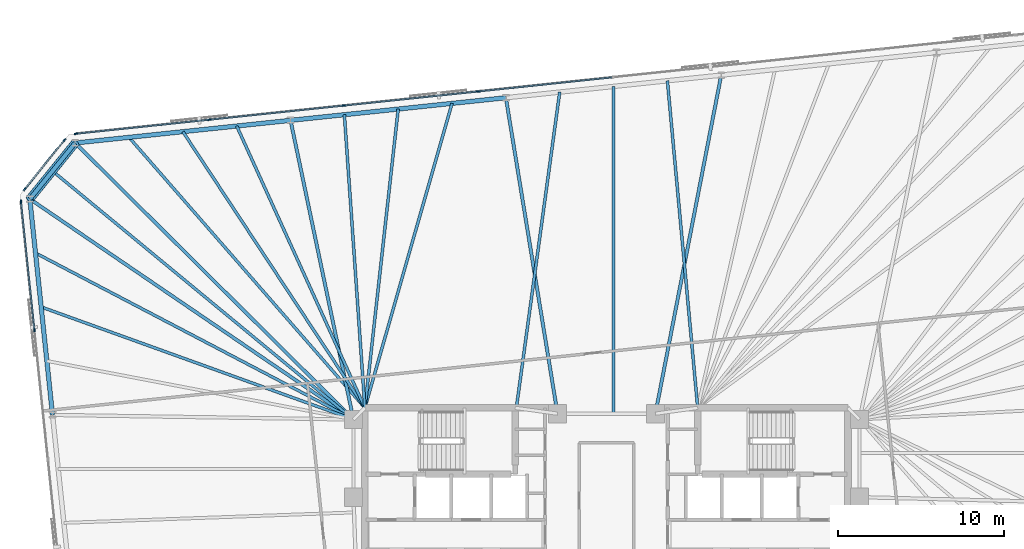
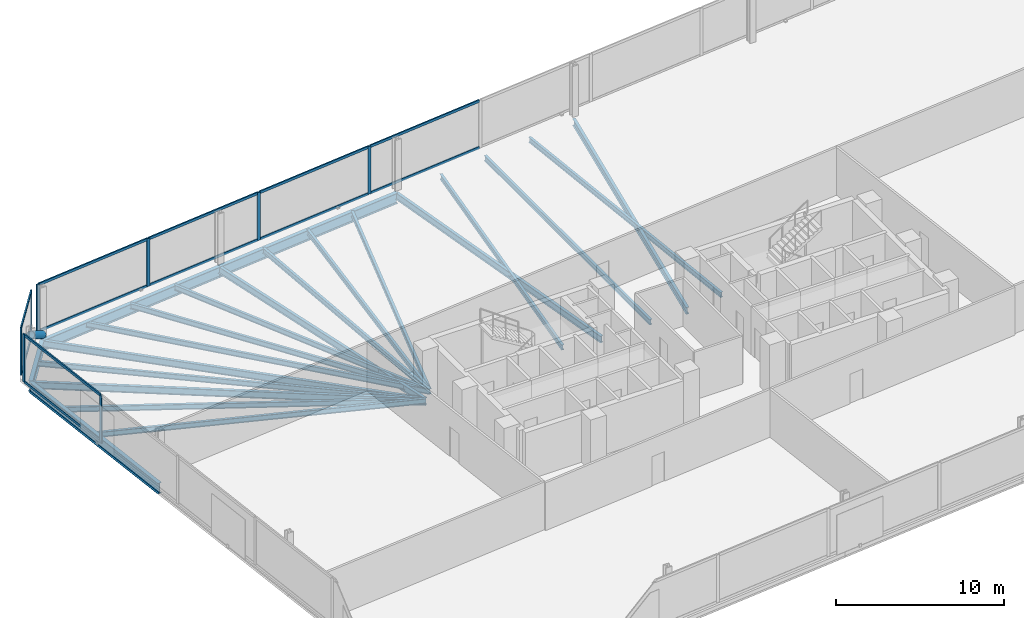
# One storey, part 9 of 17: 21 beams, 21 members, 3 elements without a shape of their own.
"""IFC4 building model written with IfcOpenShell, lengths in metres."""

from ifc_helpers import new_model, si_unit, direction, frame, origin, origin_2d, place, context, subcontext, project, spatial, rectangle, hollow_circle, i_section, extrude, material, material_profile, profile_set, type_object, element, aggregate, save


model = new_model("IFC4")

# Units and contexts
model_context = context("Model", 3, precision=1e-05, world=origin(), true_north=direction((0.0, 1.0)))
body_context = subcontext(model_context, "Body", "Model", "MODEL_VIEW")
ifc_project = project(units=[si_unit("LENGTHUNIT", "METRE"), si_unit("AREAUNIT", "SQUARE_METRE"), si_unit("VOLUMEUNIT", "CUBIC_METRE"), si_unit("PLANEANGLEUNIT", "RADIAN"), si_unit("MASSUNIT", "GRAM", prefix="KILO")], contexts=[model_context])

# Site, building, storey
site_placement = place(None, origin())
site = spatial("IfcSite", under=ifc_project, at=site_placement, CompositionType="ELEMENT")
building_placement = place(site_placement, origin())
building = spatial("IfcBuilding", under=site, at=building_placement, Name="Menara Jurai Vektor", CompositionType="ELEMENT")
storey_placement = place(building_placement, frame((0.0, 0.0, 87.39990234375)))
storey = spatial("IfcBuildingStorey", under=building, at=storey_placement, Name="L21", CompositionType="ELEMENT", Elevation=87.39990234375)

# Curtain wall, members
ifc_material_1 = material(Name="Anodised Pale Aluminium & Low-E Double Glazing", Category="aluminium")
curtain_wall_type = type_object("IfcCurtainWallType", Name="CW-BLK2", PredefinedType="NOTDEFINED", material=ifc_material_1)
curtain_wall_1_placement = place(storey_placement, origin())
curtain_wall_1 = element("IfcCurtainWall", 1, at=curtain_wall_1_placement, inside=storey, type_object=curtain_wall_type, Name="Unitised Curtain Wall L21 F05", PredefinedType="NOTDEFINED")
ifc_material_2 = material(Name="Anodised Pale Aluminium Mullion", Category="aluminium")
ifc_material_profile_1 = material_profile(ifc_material_2, rectangle(XDim=0.090087890625, YDim=0.219970703125, at=origin_2d()), Name="ALU MUL 90x220")
ifc_profile_set_1 = profile_set([ifc_material_profile_1], Name="Anodised Pale Aluminium Mullion")
member_type_1 = type_object("IfcMemberType", Name="CW-BLK2-MUL", PredefinedType="MULLION", material=ifc_profile_set_1)
member_1_placement = place(storey_placement, frame((-7.728271484375, 24.67138671875, 0.0), z_axis=(0.0, 0.0, 1.0), x_axis=(0.104528634935, -0.994521877325, 0.0)))
member_1 = element("IfcMember", 2, at=member_1_placement, type_object=member_type_1, Name="CW-02 mullion 6", PredefinedType="MULLION", context=body_context, shape_type="SweptSolid", body=[
    extrude(rectangle(XDim=0.090087890625, YDim=0.219970703125, at=origin_2d()), origin(), (0.0, 0.0, 1.0), 3.47509765625),
])
member_2_placement = place(storey_placement, frame((-15.826171875, 23.8203125, 0.0), z_axis=(0.0, 0.0, 1.0), x_axis=(0.104528634935, -0.994521877325, 0.0)))
member_2 = element("IfcMember", 3, at=member_2_placement, type_object=member_type_1, Name="CW-02 mullion 7", PredefinedType="MULLION", context=body_context, shape_type="SweptSolid", body=[
    extrude(rectangle(XDim=0.090087890625, YDim=0.219970703125, at=origin_2d()), origin(), (0.0, 0.0, 1.0), 3.47509765625),
])
member_3_placement = place(storey_placement, frame((-23.924072265625, 22.96923828125, 0.0), z_axis=(0.0, 0.0, 1.0), x_axis=(0.104528634935, -0.994521877325, 0.0)))
member_3 = element("IfcMember", 4, at=member_3_placement, type_object=member_type_1, Name="CW-02 mullion 8", PredefinedType="MULLION", context=body_context, shape_type="SweptSolid", body=[
    extrude(rectangle(XDim=0.090087890625, YDim=0.219970703125, at=origin_2d()), origin(), (0.0, 0.0, 1.0), 3.47509765625),
])
member_4_placement = place(storey_placement, frame((-31.97705078125, 22.122802734375, 0.0), z_axis=(0.0, 0.0, 1.0), x_axis=(0.104528634935, -0.994521877325, 0.0)))
member_4 = element("IfcMember", 5, at=member_4_placement, type_object=member_type_1, Name="CW-02 mullion 9", PredefinedType="MULLION", context=body_context, shape_type="SweptSolid", body=[
    extrude(rectangle(XDim=0.090087890625, YDim=0.219970703125, at=origin_2d()), origin(), (0.0, 0.0, 1.0), 3.47509765625),
])

curtain_wall_2_placement = place(storey_placement, origin())
curtain_wall_2 = element("IfcCurtainWall", 6, at=curtain_wall_2_placement, inside=storey, type_object=curtain_wall_type, Name="Unitised Curtain Wall L21 F06", PredefinedType="NOTDEFINED")
member_5_placement = place(storey_placement, frame((-32.667236328125, 21.748046875, 0.0), z_axis=(0.0, 0.0, 1.0), x_axis=(0.777129222223, -0.62934106172, 0.0)))
member_5 = element("IfcMember", 7, at=member_5_placement, type_object=member_type_1, Name="CW-02 mullion 1", PredefinedType="MULLION", context=body_context, shape_type="SweptSolid", body=[
    extrude(rectangle(XDim=0.090087890625, YDim=0.219970703125, at=origin_2d()), origin(), (0.0, 0.0, 1.0), 3.47509765625),
])
member_6_placement = place(storey_placement, frame((-35.0693359375, 18.781982421875, 0.0), z_axis=(0.0, 0.0, 1.0), x_axis=(0.777129222223, -0.62934106172, 0.0)))
member_6 = element("IfcMember", 8, at=member_6_placement, type_object=member_type_1, Name="CW-02 mullion 2", PredefinedType="MULLION", context=body_context, shape_type="SweptSolid", body=[
    extrude(rectangle(XDim=0.090087890625, YDim=0.219970703125, at=origin_2d()), origin(), (0.0, 0.0, 1.0), 3.47509765625),
])

curtain_wall_3_placement = place(storey_placement, origin())
curtain_wall_3 = element("IfcCurtainWall", 9, at=curtain_wall_3_placement, inside=storey, type_object=curtain_wall_type, Name="Unitised Curtain Wall L21 F07", PredefinedType="NOTDEFINED")
member_7_placement = place(storey_placement, frame((-35.29248046875, 18.029052734375, 0.0), z_axis=(0.0, 0.0, 1.0), x_axis=(0.99452177832, 0.104529576902, 0.0)))
member_7 = element("IfcMember", 10, at=member_7_placement, type_object=member_type_1, Name="CW-02 mullion 1", PredefinedType="MULLION", context=body_context, shape_type="SweptSolid", body=[
    extrude(rectangle(XDim=0.090087890625, YDim=0.219970703125, at=origin_2d()), origin(), (0.0, 0.0, 1.0), 3.47509765625),
])
member_8_placement = place(storey_placement, frame((-34.478759765625, 10.28857421875, 0.0), z_axis=(0.0, 0.0, 1.0), x_axis=(0.99452177832, 0.104529576902, 0.0)))
member_8 = element("IfcMember", 11, at=member_8_placement, type_object=member_type_1, Name="CW-02 mullion 2", PredefinedType="MULLION", context=body_context, shape_type="SweptSolid", body=[
    extrude(rectangle(XDim=0.090087890625, YDim=0.219970703125, at=origin_2d()), origin(), (0.0, 0.0, 1.0), 3.47509765625),
])

# Member
ifc_material_3 = material(Name="Anodised Pale Aluminium Transom", Category="aluminium")
ifc_material_profile_2 = material_profile(ifc_material_3, rectangle(XDim=0.090087890625, YDim=0.18505859375, at=origin_2d()), Name="ALU TRN 90x185")
ifc_profile_set_2 = profile_set([ifc_material_profile_2], Name="Anodised Pale Aluminium Transom")
member_type_2 = type_object("IfcMemberType", Name="CW-BLK2-TRN", PredefinedType="USERDEFINED", material=ifc_profile_set_2)
member_9_placement = place(storey_placement, frame((0.324951171875, 25.517822265625, 0.045166015625), z_axis=(-0.99452387809, -0.104509597213, 0.0), x_axis=(0.104509597213, -0.99452387809, 0.0)))
member_9 = element("IfcMember", 12, at=member_9_placement, type_object=member_type_2, Name="CW-02 transom 5.1", ObjectType="TRANSOM", PredefinedType="USERDEFINED", context=body_context, shape_type="SweptSolid", body=[
    extrude(rectangle(XDim=0.090087890625, YDim=0.18505859375, at=origin_2d()), origin(), (0.0, 0.0, 1.0), 8.052490234375),
])

member_10_placement = place(storey_placement, frame((0.324951171875, 25.517822265625, 3.43017578125), z_axis=(-0.99452387809, -0.104509597213, 0.0), x_axis=(0.104509597213, -0.99452387809, 0.0)))
member_10 = element("IfcMember", 13, at=member_10_placement, type_object=member_type_2, Name="CW-02 transom 5.2", ObjectType="TRANSOM", PredefinedType="USERDEFINED", context=body_context, shape_type="SweptSolid", body=[
    extrude(rectangle(XDim=0.090087890625, YDim=0.18505859375, at=origin_2d()), origin(), (0.0, 0.0, 1.0), 8.052490234375),
])

member_11_placement = place(storey_placement, frame((-7.77294921875, 24.666748046875, 0.045166015625), z_axis=(-0.994520726373, -0.10453958492, 0.0), x_axis=(0.10453958492, -0.994520726373, 0.0)))
member_11 = element("IfcMember", 14, at=member_11_placement, type_object=member_type_2, Name="CW-02 transom 6.1", ObjectType="TRANSOM", PredefinedType="USERDEFINED", context=body_context, shape_type="SweptSolid", body=[
    extrude(rectangle(XDim=0.090087890625, YDim=0.18505859375, at=origin_2d()), origin(), (0.0, 0.0, 1.0), 8.052490234375),
])

member_12_placement = place(storey_placement, frame((-7.77294921875, 24.666748046875, 3.43017578125), z_axis=(-0.994520726373, -0.10453958492, 0.0), x_axis=(0.10453958492, -0.994520726373, 0.0)))
member_12 = element("IfcMember", 15, at=member_12_placement, type_object=member_type_2, Name="CW-02 transom 6.2", ObjectType="TRANSOM", PredefinedType="USERDEFINED", context=body_context, shape_type="SweptSolid", body=[
    extrude(rectangle(XDim=0.090087890625, YDim=0.18505859375, at=origin_2d()), origin(), (0.0, 0.0, 1.0), 8.052490234375),
])

member_13_placement = place(storey_placement, frame((-15.870849609375, 23.815673828125, 0.045166015625), z_axis=(-0.994520726373, -0.10453958492, 0.0), x_axis=(0.10453958492, -0.994520726373, 0.0)))
member_13 = element("IfcMember", 16, at=member_13_placement, type_object=member_type_2, Name="CW-02 transom 7.1", ObjectType="TRANSOM", PredefinedType="USERDEFINED", context=body_context, shape_type="SweptSolid", body=[
    extrude(rectangle(XDim=0.090087890625, YDim=0.18505859375, at=origin_2d()), origin(), (0.0, 0.0, 1.0), 8.052490234375),
])

member_14_placement = place(storey_placement, frame((-15.870849609375, 23.815673828125, 3.43017578125), z_axis=(-0.994520726373, -0.10453958492, 0.0), x_axis=(0.10453958492, -0.994520726373, 0.0)))
member_14 = element("IfcMember", 17, at=member_14_placement, type_object=member_type_2, Name="CW-02 transom 7.2", ObjectType="TRANSOM", PredefinedType="USERDEFINED", context=body_context, shape_type="SweptSolid", body=[
    extrude(rectangle(XDim=0.090087890625, YDim=0.18505859375, at=origin_2d()), origin(), (0.0, 0.0, 1.0), 8.052490234375),
])

member_15_placement = place(storey_placement, frame((-23.96875, 22.964599609375, 0.045166015625), z_axis=(-0.994519977808, -0.104546706027, 0.0), x_axis=(0.104546706027, -0.994519977808, 0.0)))
member_15 = element("IfcMember", 18, at=member_15_placement, type_object=member_type_2, Name="CW-02 transom 8.1", ObjectType="TRANSOM", PredefinedType="USERDEFINED", context=body_context, shape_type="SweptSolid", body=[
    extrude(rectangle(XDim=0.090087890625, YDim=0.18505859375, at=origin_2d()), origin(), (0.0, 0.0, 1.0), 8.007568359375),
])

member_16_placement = place(storey_placement, frame((-23.96875, 22.964599609375, 3.43017578125), z_axis=(-0.994519977808, -0.104546706027, 0.0), x_axis=(0.104546706027, -0.994519977808, 0.0)))
member_16 = element("IfcMember", 19, at=member_16_placement, type_object=member_type_2, Name="CW-02 transom 8.2", ObjectType="TRANSOM", PredefinedType="USERDEFINED", context=body_context, shape_type="SweptSolid", body=[
    extrude(rectangle(XDim=0.090087890625, YDim=0.18505859375, at=origin_2d()), origin(), (0.0, 0.0, 1.0), 8.007568359375),
])

aggregate(curtain_wall_1, [member_1, member_2, member_3, member_4, member_9, member_10, member_11, member_12, member_13, member_14, member_15, member_16])

member_17_placement = place(storey_placement, frame((-32.695556640625, 21.713134765625, 0.045166015625), z_axis=(-0.6293414396, -0.777128916205, 0.0), x_axis=(0.777128916205, -0.6293414396, 0.0)))
member_17 = element("IfcMember", 20, at=member_17_placement, type_object=member_type_2, Name="CW-02 transom 1.1", ObjectType="TRANSOM", PredefinedType="USERDEFINED", context=body_context, shape_type="SweptSolid", body=[
    extrude(rectangle(XDim=0.090087890625, YDim=0.18505859375, at=origin_2d()), origin(), (0.0, 0.0, 1.0), 3.726806640625),
])

member_18_placement = place(storey_placement, frame((-32.695556640625, 21.713134765625, 3.43017578125), z_axis=(-0.6293414396, -0.777128916205, 0.0), x_axis=(0.777128916205, -0.6293414396, 0.0)))
member_18 = element("IfcMember", 21, at=member_18_placement, type_object=member_type_2, Name="CW-02 transom 1.2", ObjectType="TRANSOM", PredefinedType="USERDEFINED", context=body_context, shape_type="SweptSolid", body=[
    extrude(rectangle(XDim=0.090087890625, YDim=0.18505859375, at=origin_2d()), origin(), (0.0, 0.0, 1.0), 3.726806640625),
])

aggregate(curtain_wall_2, [member_5, member_6, member_17, member_18])

member_19_placement = place(storey_placement, frame((-35.28759765625, 17.984130859375, 0.045166015625), z_axis=(0.104504716935, -0.994524390922, 0.0), x_axis=(0.994524390922, 0.104504716935, 0.0)))
member_19 = element("IfcMember", 22, at=member_19_placement, type_object=member_type_2, Name="CW-02 transom 1.1", ObjectType="TRANSOM", PredefinedType="USERDEFINED", context=body_context, shape_type="SweptSolid", body=[
    extrude(rectangle(XDim=0.090087890625, YDim=0.18505859375, at=origin_2d()), origin(), (0.0, 0.0, 1.0), 7.693115234375),
])

member_20_placement = place(storey_placement, frame((-35.28759765625, 17.984130859375, 3.43017578125), z_axis=(0.104504716935, -0.994524390922, 0.0), x_axis=(0.994524390922, 0.104504716935, 0.0)))
member_20 = element("IfcMember", 23, at=member_20_placement, type_object=member_type_2, Name="CW-02 transom 1.2", ObjectType="TRANSOM", PredefinedType="USERDEFINED", context=body_context, shape_type="SweptSolid", body=[
    extrude(rectangle(XDim=0.090087890625, YDim=0.18505859375, at=origin_2d()), origin(), (0.0, 0.0, 1.0), 7.693115234375),
])

aggregate(curtain_wall_3, [member_7, member_8, member_19, member_20])

# Beams
ifc_material_4 = material(Name="Steel S355", Category="steel")
ifc_material_profile_3 = material_profile(ifc_material_4, i_section(OverallWidth=0.199951171875, OverallDepth=0.5, WebThickness=0.011962890625, FlangeThickness=0.02001953125, at=origin_2d()), Name="PG 500x200x96")
ifc_profile_set_3 = profile_set([ifc_material_profile_3], Name="Steel S355")
beam_type_1 = type_object("IfcBeamType", Name="STR-BM-500", PredefinedType="BEAM", material=ifc_profile_set_3)
beam_1_placement = place(storey_placement, frame((6.9169921875, 25.65771484375, -0.474853515625), z_axis=(-0.190817481746, -0.981625533826, 0.0), x_axis=(0.981625533826, -0.190817481746, 0.0)))
element("IfcBeam", 24, at=beam_1_placement, inside=storey, type_object=beam_type_1, Name="Radial Floor Girder L21-N3", PredefinedType="BEAM", context=body_context, shape_type="SweptSolid", body=[
    extrude(i_section(OverallWidth=0.199951171875, OverallDepth=0.5, WebThickness=0.011962890625, FlangeThickness=0.02001953125, at=origin_2d()), origin(), (0.0, 0.0, 1.0), 20.789794921875),
])
beam_2_placement = place(storey_placement, frame((-6.0625, 24.29345703125, -0.474853515625), z_axis=(0.161304178177, -0.986904738109, 0.0), x_axis=(0.986904738109, 0.161304178177, 0.0)))
element("IfcBeam", 25, at=beam_2_placement, inside=storey, type_object=beam_type_1, Name="Radial Floor Girder L21-N4", PredefinedType="BEAM", context=body_context, shape_type="SweptSolid", body=[
    extrude(i_section(OverallWidth=0.199951171875, OverallDepth=0.5, WebThickness=0.011962890625, FlangeThickness=0.02001953125, at=origin_2d()), origin(), (0.0, 0.0, 1.0), 19.296142578125),
])
beam_3_placement = place(storey_placement, frame((-19.042236328125, 22.92919921875, -0.474853515625), z_axis=(0.205833499861, -0.978587027471, 0.0), x_axis=(0.978587027471, 0.205833499861, 0.0)))
element("IfcBeam", 26, at=beam_3_placement, inside=storey, type_object=beam_type_1, Name="Radial Floor Girder L21-N5", PredefinedType="BEAM", context=body_context, shape_type="SweptSolid", body=[
    extrude(i_section(OverallWidth=0.199951171875, OverallDepth=0.5, WebThickness=0.011962890625, FlangeThickness=0.02001953125, at=origin_2d()), origin(), (0.0, 0.0, 1.0), 18.423828125),
])
beam_4_placement = place(storey_placement, frame((-32.02197265625, 21.565185546875, -0.474853515625), z_axis=(0.709359361276, -0.704847002242, 0.0), x_axis=(0.704847002242, 0.709359361276, 0.0)))
element("IfcBeam", 27, at=beam_4_placement, inside=storey, type_object=beam_type_1, Name="Radial Floor Girder L21-N6", PredefinedType="BEAM", context=body_context, shape_type="SweptSolid", body=[
    extrude(i_section(OverallWidth=0.199951171875, OverallDepth=0.5, WebThickness=0.011962890625, FlangeThickness=0.02001953125, at=origin_2d()), origin(), (0.0, 0.0, 1.0), 23.643798828125),
])
beam_5_placement = place(storey_placement, frame((-34.756103515625, 18.188720703125, -0.474853515625), z_axis=(0.826440214756, -0.563024485643, 0.0), x_axis=(0.563024485643, 0.826440214756, 0.0)))
element("IfcBeam", 28, at=beam_5_placement, inside=storey, type_object=beam_type_1, Name="Radial Floor Girder L21-W1", PredefinedType="BEAM", context=body_context, shape_type="SweptSolid", body=[
    extrude(i_section(OverallWidth=0.199951171875, OverallDepth=0.5, WebThickness=0.011962890625, FlangeThickness=0.02001953125, at=origin_2d()), origin(), (0.0, 0.0, 1.0), 23.6025390625),
])

# Member
ifc_material_5 = material(Name="Steel S460", Category="steel")
ifc_material_profile_4 = material_profile(ifc_material_5, hollow_circle(Radius=0.25390625, WallThickness=0.02001953125, at=origin_2d()), Name="CHS 508x20")
ifc_profile_set_4 = profile_set([ifc_material_profile_4], Name="Steel S460")
member_type_3 = type_object("IfcMemberType", Name="STR-BR-508", PredefinedType="BRACE", material=ifc_profile_set_4)
member_21_placement = place(storey_placement, frame((-32.02197265625, 21.565185546875, 0.150146484375), z_axis=(-0.51925145818, -0.641240080956, 0.564968213047), x_axis=(0.777154568396, -0.629309762217, 0.0)))
element("IfcMember", 29, at=member_21_placement, inside=storey, type_object=member_type_3, Name="Exoskeleton Corner Brace L21-3", PredefinedType="BRACE", context=body_context, shape_type="SweptSolid", body=[
    extrude(hollow_circle(Radius=0.25390625, WallThickness=0.02001953125, at=origin_2d()), origin(), (0.0, 0.0, 1.0), 5.265625),
])

# Beams
ifc_material_profile_5 = material_profile(ifc_material_4, i_section(OverallWidth=0.175048828125, OverallDepth=0.3798828125, WebThickness=0.010009765625, FlangeThickness=0.014892578125, at=origin_2d()), Name="PG 380x175x58")
ifc_profile_set_5 = profile_set([ifc_material_profile_5], Name="Steel S355")
beam_type_2 = type_object("IfcBeamType", Name="STR-JS-380", PredefinedType="JOIST", material=ifc_profile_set_5)
beam_6_placement = place(storey_placement, frame((3.672119140625, 25.316650390625, -0.414794921875), z_axis=(0.092312082085, -0.995730123829, 0.0), x_axis=(0.995730123829, 0.092312082085, 0.0)))
element("IfcBeam", 30, at=beam_6_placement, inside=storey, type_object=beam_type_2, Name="Radial Secondary Floor Joist L21-JS26", PredefinedType="JOIST", context=body_context, shape_type="SweptSolid", body=[
    extrude(i_section(OverallWidth=0.175048828125, OverallDepth=0.3798828125, WebThickness=0.010009765625, FlangeThickness=0.014892578125, at=origin_2d()), origin(), (0.0, 0.0, 1.0), 19.801025390625),
])
beam_7_placement = place(storey_placement, frame((0.42724609375, 24.9755859375, -0.414794921875), z_axis=(0.0, -1.0, 0.0), x_axis=(1.0, 0.0, 0.0)))
element("IfcBeam", 31, at=beam_7_placement, inside=storey, type_object=beam_type_2, Name="Radial Secondary Floor Joist L21-JS27", PredefinedType="JOIST", context=body_context, shape_type="SweptSolid", body=[
    extrude(i_section(OverallWidth=0.175048828125, OverallDepth=0.3798828125, WebThickness=0.010009765625, FlangeThickness=0.014892578125, at=origin_2d()), origin(), (0.0, 0.0, 1.0), 19.7255859375),
])
beam_8_placement = place(storey_placement, frame((-2.817626953125, 24.634521484375, -0.414794921875), z_axis=(-0.135987109192, -0.990710606652, 0.0), x_axis=(0.990710606652, -0.135987109192, 0.0)))
element("IfcBeam", 32, at=beam_8_placement, inside=storey, type_object=beam_type_2, Name="Radial Secondary Floor Joist L21-JS28", PredefinedType="JOIST", context=body_context, shape_type="SweptSolid", body=[
    extrude(i_section(OverallWidth=0.175048828125, OverallDepth=0.3798828125, WebThickness=0.010009765625, FlangeThickness=0.014892578125, at=origin_2d()), origin(), (0.0, 0.0, 1.0), 19.222412109375),
])
beam_9_placement = place(storey_placement, frame((-9.3076171875, 23.952392578125, -0.414794921875), z_axis=(-0.275153530359, -0.961400298903, 0.0), x_axis=(0.961400298903, -0.275153530359, 0.0)))
element("IfcBeam", 33, at=beam_9_placement, inside=storey, type_object=beam_type_2, Name="Radial Secondary Floor Joist L21-JS29", PredefinedType="JOIST", context=body_context, shape_type="SweptSolid", body=[
    extrude(i_section(OverallWidth=0.175048828125, OverallDepth=0.3798828125, WebThickness=0.010009765625, FlangeThickness=0.014892578125, at=origin_2d()), origin(), (0.0, 0.0, 1.0), 19.089111328125),
])
beam_10_placement = place(storey_placement, frame((-12.552490234375, 23.611328125, -0.414794921875), z_axis=(-0.110776028048, -0.993845396231, 0.0), x_axis=(0.993845396231, -0.110776028048, 0.0)))
element("IfcBeam", 34, at=beam_10_placement, inside=storey, type_object=beam_type_2, Name="Radial Secondary Floor Joist L21-JS30", PredefinedType="JOIST", context=body_context, shape_type="SweptSolid", body=[
    extrude(i_section(OverallWidth=0.175048828125, OverallDepth=0.3798828125, WebThickness=0.010009765625, FlangeThickness=0.014892578125, at=origin_2d()), origin(), (0.0, 0.0, 1.0), 18.122802734375),
])
beam_11_placement = place(storey_placement, frame((-15.79736328125, 23.2705078125, -0.414794921875), z_axis=(0.069850249402, -0.997557488398, 0.0), x_axis=(0.997557488398, 0.069850249402, 0.0)))
element("IfcBeam", 35, at=beam_11_placement, inside=storey, type_object=beam_type_2, Name="Radial Secondary Floor Joist L21-JS31", PredefinedType="JOIST", context=body_context, shape_type="SweptSolid", body=[
    extrude(i_section(OverallWidth=0.175048828125, OverallDepth=0.3798828125, WebThickness=0.010009765625, FlangeThickness=0.014892578125, at=origin_2d()), origin(), (0.0, 0.0, 1.0), 17.713623046875),
])
beam_12_placement = place(storey_placement, frame((-22.287109375, 22.58837890625, -0.414794921875), z_axis=(0.414029617818, -0.910263409992, 0.0), x_axis=(0.910263409992, 0.414029617818, 0.0)))
element("IfcBeam", 36, at=beam_12_placement, inside=storey, type_object=beam_type_2, Name="Radial Secondary Floor Joist L21-JS32", PredefinedType="JOIST", context=body_context, shape_type="SweptSolid", body=[
    extrude(i_section(OverallWidth=0.175048828125, OverallDepth=0.3798828125, WebThickness=0.010009765625, FlangeThickness=0.014892578125, at=origin_2d()), origin(), (0.0, 0.0, 1.0), 18.6630859375),
])
beam_13_placement = place(storey_placement, frame((-25.531982421875, 22.247314453125, -0.414794921875), z_axis=(0.550309675793, -0.834960634239, 0.0), x_axis=(0.834960634239, 0.550309675793, 0.0)))
element("IfcBeam", 37, at=beam_13_placement, inside=storey, type_object=beam_type_2, Name="Radial Secondary Floor Joist L21-JS33", PredefinedType="JOIST", context=body_context, shape_type="SweptSolid", body=[
    extrude(i_section(OverallWidth=0.175048828125, OverallDepth=0.3798828125, WebThickness=0.010009765625, FlangeThickness=0.014892578125, at=origin_2d()), origin(), (0.0, 0.0, 1.0), 19.937744140625),
])
beam_14_placement = place(storey_placement, frame((-28.777099609375, 21.90625, -0.414794921875), z_axis=(0.657172520545, -0.753740192798, 0.0), x_axis=(0.753740192798, 0.657172520545, 0.0)))
element("IfcBeam", 38, at=beam_14_placement, inside=storey, type_object=beam_type_2, Name="Radial Secondary Floor Joist L21-JS34", PredefinedType="JOIST", context=body_context, shape_type="SweptSolid", body=[
    extrude(i_section(OverallWidth=0.175048828125, OverallDepth=0.3798828125, WebThickness=0.010009765625, FlangeThickness=0.014892578125, at=origin_2d()), origin(), (0.0, 0.0, 1.0), 21.633544921875),
])
beam_15_placement = place(storey_placement, frame((-33.388916015625, 19.876953125, -0.414794921875), z_axis=(0.771113505069, -0.636697700876, 0.0), x_axis=(0.636697700876, 0.771113505069, 0.0)))
element("IfcBeam", 39, at=beam_15_placement, inside=storey, type_object=beam_type_2, Name="Radial Secondary Floor Joist L21-JS35", PredefinedType="JOIST", context=body_context, shape_type="SweptSolid", body=[
    extrude(i_section(OverallWidth=0.175048828125, OverallDepth=0.3798828125, WebThickness=0.010009765625, FlangeThickness=0.014892578125, at=origin_2d()), origin(), (0.0, 0.0, 1.0), 23.52294921875),
])
beam_16_placement = place(storey_placement, frame((-34.414306640625, 14.935302734375, -0.414794921875), z_axis=(0.885889402471, -0.463896504179, 0.0), x_axis=(0.463896504179, 0.885889402471, 0.0)))
element("IfcBeam", 40, at=beam_16_placement, inside=storey, type_object=beam_type_2, Name="Radial Secondary Floor Joist L21-JS36", PredefinedType="JOIST", context=body_context, shape_type="SweptSolid", body=[
    extrude(i_section(OverallWidth=0.175048828125, OverallDepth=0.3798828125, WebThickness=0.010009765625, FlangeThickness=0.014892578125, at=origin_2d()), origin(), (0.0, 0.0, 1.0), 21.6328125),
])
beam_17_placement = place(storey_placement, frame((-34.072265625, 11.681884765625, -0.414794921875), z_axis=(0.940792327273, -0.338983475917, 0.0), x_axis=(0.338983475917, 0.940792327273, 0.0)))
element("IfcBeam", 41, at=beam_17_placement, inside=storey, type_object=beam_type_2, Name="Radial Secondary Floor Joist L21-JS37", PredefinedType="JOIST", context=body_context, shape_type="SweptSolid", body=[
    extrude(i_section(OverallWidth=0.175048828125, OverallDepth=0.3798828125, WebThickness=0.010009765625, FlangeThickness=0.014892578125, at=origin_2d()), origin(), (0.0, 0.0, 1.0), 20.0068359375),
])
ifc_material_profile_6 = material_profile(ifc_material_5, i_section(OverallWidth=0.26806640625, OverallDepth=0.77001953125, WebThickness=0.01611328125, FlangeThickness=0.02490234375, FilletRadius=0.01708984375, at=origin_2d()), Name="UKB 762x267x197")
ifc_profile_set_6 = profile_set([ifc_material_profile_6], Name="Steel S460")
beam_type_3 = type_object("IfcBeamType", Name="STR-SP-762", PredefinedType="SPANDREL", material=ifc_profile_set_6)
for number, where, z_axis, x_axis, name in (
    (42, (-6.0625, 24.29345703125, -0.60986328125), (-0.994521636083, -0.104530930169, 0.0), (0.104530930169, -0.994521636083, 0.0), "Exoskeleton Spandrel Beam L21-14"),
    (43, (-19.042236328125, 22.92919921875, -0.60986328125), (-0.994523580592, -0.104512428191, 0.0), (0.104512428191, -0.994523580592, 0.0), "Exoskeleton Spandrel Beam L21-15"),
):
    element("IfcBeam", number, at=place(storey_placement, frame(where, z_axis=z_axis, x_axis=x_axis)), inside=storey, type_object=beam_type_3, Name=name, PredefinedType="SPANDREL", context=body_context, shape_type="SweptSolid", body=[
        extrude(i_section(OverallWidth=0.26806640625, OverallDepth=0.77001953125, WebThickness=0.01611328125, FlangeThickness=0.02490234375, FilletRadius=0.01708984375, at=origin_2d()), origin(), (0.0, 0.0, 1.0), 13.05126953125),
    ])
beam_18_placement = place(storey_placement, frame((-32.02197265625, 21.565185546875, -0.60986328125), z_axis=(-0.629309762217, -0.777154568396, 0.0), x_axis=(0.777154568396, -0.629309762217, 0.0)))
element("IfcBeam", 44, at=beam_18_placement, inside=storey, type_object=beam_type_3, Name="Exoskeleton Spandrel Beam L21-16", PredefinedType="SPANDREL", context=body_context, shape_type="SweptSolid", body=[
    extrude(i_section(OverallWidth=0.26806640625, OverallDepth=0.77001953125, WebThickness=0.01611328125, FlangeThickness=0.02490234375, FilletRadius=0.01708984375, at=origin_2d()), origin(), (0.0, 0.0, 1.0), 4.3447265625),
])
beam_19_placement = place(storey_placement, frame((-34.756103515625, 18.188720703125, -0.60986328125), z_axis=(0.104538130097, -0.994520879296, 0.0), x_axis=(0.994520879296, 0.104538130097, 0.0)))
element("IfcBeam", 45, at=beam_19_placement, inside=storey, type_object=beam_type_3, Name="Exoskeleton Spandrel Beam L21-17", PredefinedType="SPANDREL", context=body_context, shape_type="SweptSolid", body=[
    extrude(i_section(OverallWidth=0.26806640625, OverallDepth=0.77001953125, WebThickness=0.01611328125, FlangeThickness=0.02490234375, FilletRadius=0.01708984375, at=origin_2d()), origin(), (0.0, 0.0, 1.0), 13.08544921875),
])

save(model, "model.ifc")
